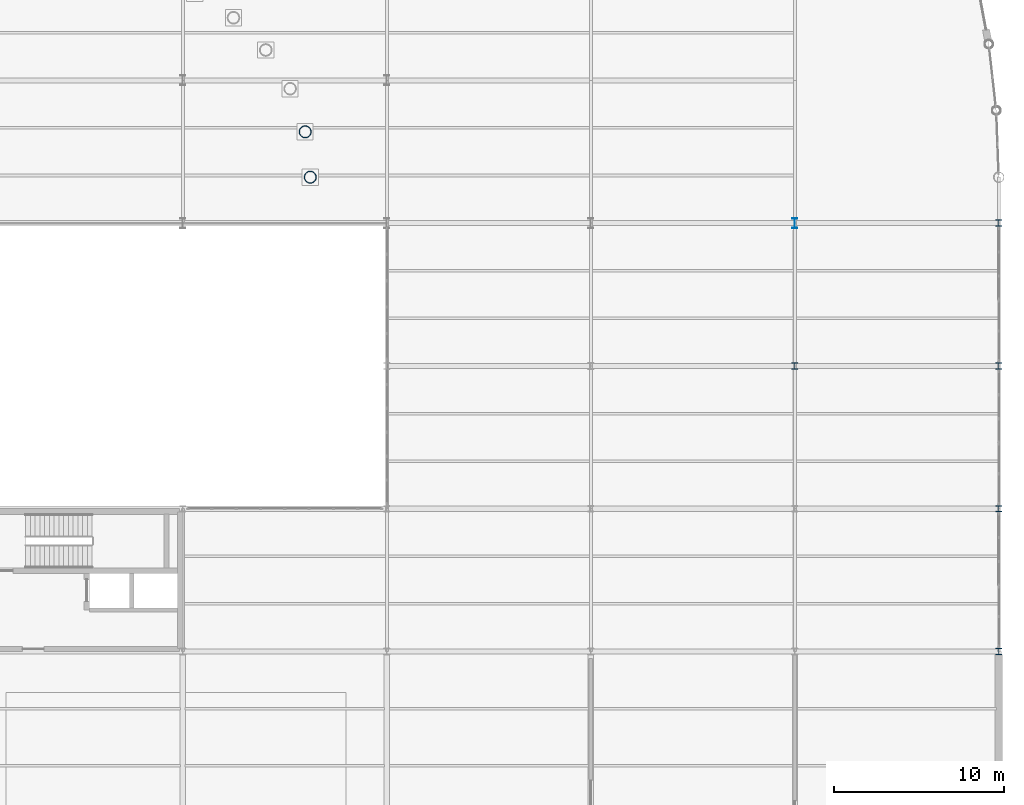
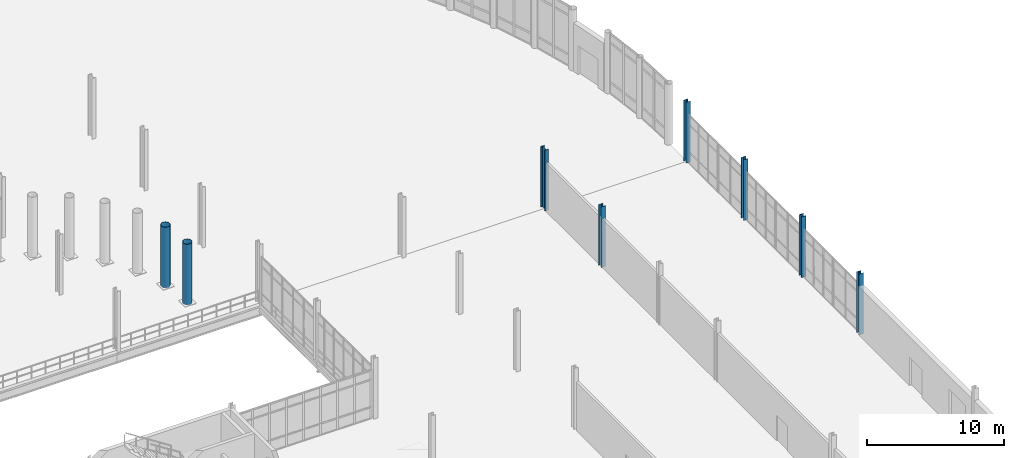
# One storey, part 17 of 111: 8 columns.
"""IFC4 building model written with IfcOpenShell, lengths in metres."""

from ifc_helpers import new_model, si_unit, direction, frame, origin, origin_2d, place, context, subcontext, project, spatial, hollow_circle, i_section, extrude, material, material_profile, profile_set, type_object, element, save


model = new_model("IFC4")

# Units and contexts
model_context = context("Model", 3, precision=1e-05, world=origin(), true_north=direction((0.0, 1.0)))
body_context = subcontext(model_context, "Body", "Model", "MODEL_VIEW")
ifc_project = project(units=[si_unit("LENGTHUNIT", "METRE"), si_unit("AREAUNIT", "SQUARE_METRE"), si_unit("VOLUMEUNIT", "CUBIC_METRE"), si_unit("PLANEANGLEUNIT", "RADIAN"), si_unit("MASSUNIT", "GRAM", prefix="KILO"), si_unit("THERMODYNAMICTEMPERATUREUNIT", "KELVIN"), si_unit("POWERUNIT", "WATT")], contexts=[model_context])

# Site, building, storey
site_placement = place(None, origin())
site = spatial("IfcSite", under=ifc_project, at=site_placement, CompositionType="ELEMENT")
building_placement = place(site_placement, origin())
building = spatial("IfcBuilding", under=site, at=building_placement, Name="Tembeka Court Mobility Hub", CompositionType="ELEMENT")
storey_placement = place(building_placement, origin())
storey = spatial("IfcBuildingStorey", under=building, at=storey_placement, Name="L00", CompositionType="ELEMENT", Elevation=0.0)

# Columns
ifc_material = material(Name="Steel S355", Category="steel")
ifc_material_profile_1 = material_profile(ifc_material, i_section(OverallWidth=0.373046875, OverallDepth=0.367919921875, WebThickness=0.014404296875, FlangeThickness=0.023681640625, FilletRadius=0.01513671875, at=origin_2d()), Name="UKC 356x368x177")
ifc_profile_set_1 = profile_set([ifc_material_profile_1], Name="Steel S355")
column_type_1 = type_object("IfcColumnType", Name="COL-C03", PredefinedType="COLUMN", material=ifc_profile_set_1)
for number, where, z_axis, x_axis, name in (
    (1, (164.39990234375, 55.199951171875, 0.0), (0.0, 0.0, 1.0), (1.0, 0.0, 0.0), "Column C03 (L00-225)"),
    (2, (176.39990234375, 38.39990234375, 0.0), (0.0, 0.0, 1.0), (1.0, 0.0, 0.0), "Column C03 (L00-242)"),
    (3, (176.39990234375, 46.800048828125, 0.0), (0.0, 0.0, 1.0), (1.0, 0.0, 0.0), "Column C03 (L00-243)"),
    (4, (176.39990234375, 55.199951171875, 0.0), (0.0, 0.0, 1.0), (1.0, 0.0, 0.0), "Column C03 (L00-244)"),
    (5, (176.39990234375, 63.60009765625, 0.0), (0.0, 0.0, 1.0), (1.0, 0.0, 0.0), "Column C03 (L00-245)"),
):
    element("IfcColumn", number, at=place(storey_placement, frame(where, z_axis=z_axis, x_axis=x_axis)), inside=storey, type_object=column_type_1, Name=name, PredefinedType="COLUMN", context=body_context, shape_type="SweptSolid", body=[
        extrude(i_section(OverallWidth=0.373046875, OverallDepth=0.367919921875, WebThickness=0.014404296875, FlangeThickness=0.023681640625, FilletRadius=0.01513671875, at=origin_2d()), origin(), (0.0, 0.0, 1.0), 5.39990234375),
    ])
ifc_material_profile_2 = material_profile(ifc_material, i_section(OverallWidth=0.300048828125, OverallDepth=0.60009765625, WebThickness=0.015380859375, FlangeThickness=0.030029296875, FilletRadius=0.027099609375, at=origin_2d()), Name="HEB 600")
ifc_profile_set_2 = profile_set([ifc_material_profile_2], Name="Steel S355")
column_type_2 = type_object("IfcColumnType", Name="COL-C06", PredefinedType="COLUMN", material=ifc_profile_set_2)
column_placement = place(storey_placement, frame((164.39990234375, 63.60009765625, 0.0), z_axis=(0.0, 0.0, 1.0), x_axis=(1.0, 0.0, 0.0)))
element("IfcColumn", 6, at=column_placement, inside=storey, type_object=column_type_2, Name="Column C06 (L00-226)", PredefinedType="COLUMN", context=body_context, shape_type="SweptSolid", body=[
    extrude(i_section(OverallWidth=0.300048828125, OverallDepth=0.60009765625, WebThickness=0.015380859375, FlangeThickness=0.030029296875, FilletRadius=0.027099609375, at=origin_2d()), origin(), (0.0, 0.0, 1.0), 5.39990234375),
])
ifc_material_profile_3 = material_profile(ifc_material, hollow_circle(Radius=0.35546875, WallThickness=0.02490234375, at=origin_2d()), Name="CHS 711x25")
ifc_profile_set_3 = profile_set([ifc_material_profile_3], Name="Steel S355")
column_type_3 = type_object("IfcColumnType", Name="COL-MST01", PredefinedType="COLUMN", material=ifc_profile_set_3)
for number, where, z_axis, x_axis, name in (
    (7, (135.59912109375, 68.97021484375, 0.0), (0.0, 0.0, 1.0), (1.0, 0.0, 0.0), "Concourse roof mast M2 (L00)"),
    (8, (135.89990234375, 66.300048828125, 0.0), (0.0, 0.0, 1.0), (1.0, 0.0, 0.0), "Concourse roof mast M1 (L00)"),
):
    element("IfcColumn", number, at=place(storey_placement, frame(where, z_axis=z_axis, x_axis=x_axis)), inside=storey, type_object=column_type_3, Name=name, PredefinedType="COLUMN", context=body_context, shape_type="SweptSolid", body=[
        extrude(hollow_circle(Radius=0.35546875, WallThickness=0.02490234375, at=origin_2d()), origin(), (0.0, 0.0, 1.0), 5.39990234375),
    ])

save(model, "model.ifc")
